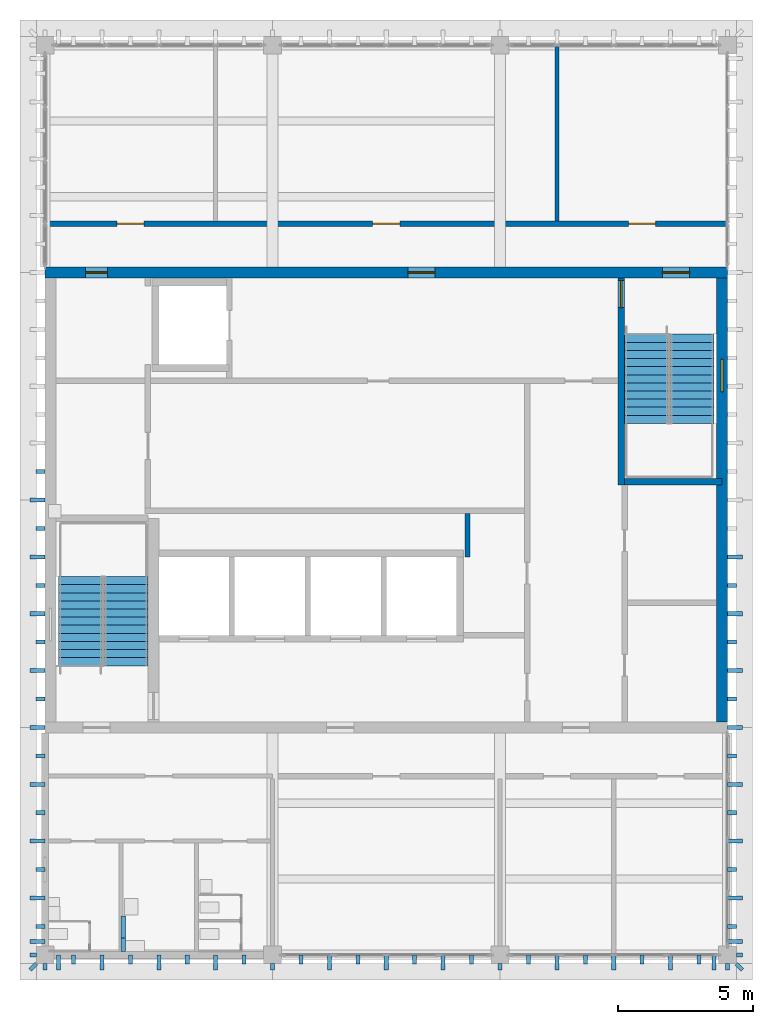
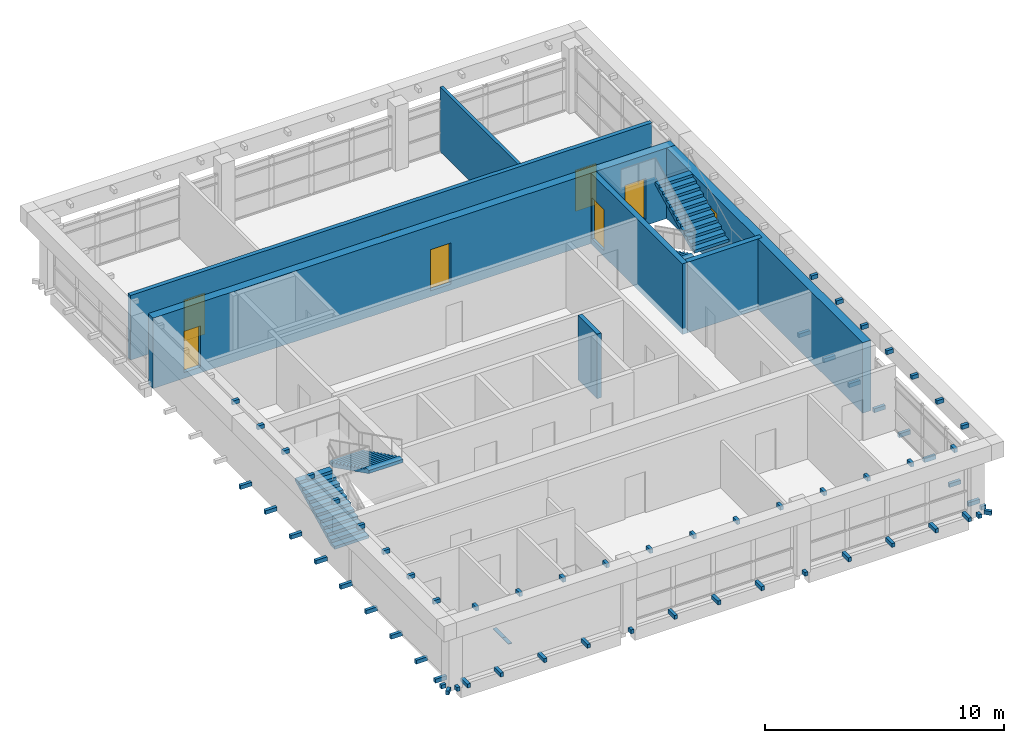
# One storey, part 7 of 10: 66 discrete accessories, 7 doors, 7 walls, 4 stair flights, 1 window, 8 openings, 2 elements without a shape of their own.
"""IFC4 building model written with IfcOpenShell, lengths in metres."""

from ifc_helpers import new_model, si_unit, direction, frame, frame_2d, origin, origin_2d, place, context, subcontext, project, spatial, polyline, rectangle, outline, extrude, material, layer, layer_set, type_object, element, fill, aggregate, save


model = new_model("IFC4")

# Units and contexts
model_context = context("Model", 3, precision=1e-05, world=origin(), true_north=direction((0.0, 1.0)))
body_context = subcontext(model_context, "Body", "Model", "MODEL_VIEW")
ifc_project = project(units=[si_unit("LENGTHUNIT", "METRE"), si_unit("AREAUNIT", "SQUARE_METRE"), si_unit("VOLUMEUNIT", "CUBIC_METRE"), si_unit("PLANEANGLEUNIT", "RADIAN"), si_unit("MASSUNIT", "GRAM", prefix="KILO")], contexts=[model_context])

# Site, building, storey
site_placement = place(None, origin())
site = spatial("IfcSite", under=ifc_project, at=site_placement, CompositionType="ELEMENT")
building_placement = place(site_placement, origin())
building = spatial("IfcBuilding", under=site, at=building_placement, Name="Rulbaag Community and Learning Centre", CompositionType="ELEMENT")
storey_placement = place(building_placement, frame((0.0, 0.0, 61.199951171875)))
storey = spatial("IfcBuildingStorey", under=building, at=storey_placement, Name="L16", CompositionType="ELEMENT", Elevation=61.199951171875)

# Wall, openings, doors
ifc_material_1 = material(Name="Concrete blockwork", Category="masonry")
ifc_layer_1 = layer(ifc_material_1, 0.199951171875)
ifc_layer_set_1 = layer_set([ifc_layer_1], Name="FW-200 FIRE WALL 200")
wall_type_1 = type_object("IfcWallType", Name="FW-200 FIRE WALL 200", PredefinedType="SOLIDWALL", material=ifc_layer_set_1)
wall_1_placement = place(storey_placement, frame((142.800048828125, 111.0, 0.0), z_axis=(0.0, 0.0, 1.0), x_axis=(1.0, 0.0, 0.0)))
wall_1 = element("IfcWall", 1, at=wall_1_placement, inside=storey, type_object=wall_type_1, Name="Fire wall L16 10", PredefinedType="SOLIDWALL", context=body_context, shape_type="SweptSolid", body=[
    extrude(rectangle(XDim=25.199951171875, YDim=0.199951171875, at=frame_2d((12.60009765625, 0.0))), origin(), (0.0, 0.0, 1.0), 3.300048828125),
])
opening_1_placement = place(wall_1_placement, frame((2.64990234375, 0.0, 0.0)))
opening_1 = element("IfcOpeningElement", 2, at=opening_1_placement, cuts=wall_1, Name="Opening L16-D005", PredefinedType="OPENING", context=body_context, shape_type="SweptSolid", body=[
    extrude(rectangle(XDim=1.0, YDim=2.10009765625, at=frame_2d((0.5, 1.050048828125))), frame((0.0, 0.10986328125, 0.0), z_axis=(0.0, -1.0, 0.0), x_axis=(1.0, 0.0, 0.0)), (0.0, 0.0, 1.0), 0.219970703125),
])
opening_2_placement = place(wall_1_placement, frame((12.10009765625, 0.0, 0.0)))
opening_2 = element("IfcOpeningElement", 3, at=opening_2_placement, cuts=wall_1, Name="Opening L16-D020", PredefinedType="OPENING", context=body_context, shape_type="SweptSolid", body=[
    extrude(rectangle(XDim=1.0, YDim=2.10009765625, at=frame_2d((0.5, 1.050048828125))), frame((0.0, 0.10986328125, 0.0), z_axis=(0.0, -1.0, 0.0), x_axis=(1.0, 0.0, 0.0)), (0.0, 0.0, 1.0), 0.219970703125),
])
opening_3_placement = place(wall_1_placement, frame((21.550048828125, 0.0, 0.0)))
opening_3 = element("IfcOpeningElement", 4, at=opening_3_placement, cuts=wall_1, Name="Opening L16-D031", PredefinedType="OPENING", context=body_context, shape_type="SweptSolid", body=[
    extrude(rectangle(XDim=1.0, YDim=2.10009765625, at=frame_2d((0.5, 1.050048828125))), frame((0.0, 0.10986328125, 0.0), z_axis=(0.0, -1.0, 0.0), x_axis=(1.0, 0.0, 0.0)), (0.0, 0.0, 1.0), 0.219970703125),
])
ifc_material_2 = material(Name="Galvanised steel", Category="steel")
door_type_1 = type_object("IfcDoorType", Name="FD-1000 FIRE DOOR 1000 x 2100", OperationType="SINGLE_SWING_LEFT", PredefinedType="DOOR", material=ifc_material_2)
door_1_placement = place(opening_1_placement, origin())
door_1 = element("IfcDoor", 5, at=door_1_placement, inside=storey, type_object=door_type_1, Name="Door L16-D005", OperationType="SINGLE_SWING_RIGHT", OverallHeight=2.10009765625, OverallWidth=1.0, PredefinedType="DOOR", context=body_context, shape_type="SweptSolid", body=[
    extrude(rectangle(XDim=1.0, YDim=2.10009765625, at=frame_2d((0.5, 1.050048828125))), frame((0.0, 0.02490234375, 0.0), z_axis=(0.0, -1.0, 0.0), x_axis=(1.0, 0.0, 0.0)), (0.0, 0.0, 1.0), 0.050048828125),
])
fill(opening_1, door_1)
door_2_placement = place(opening_2_placement, origin())
door_2 = element("IfcDoor", 6, at=door_2_placement, inside=storey, type_object=door_type_1, Name="Door L16-D020", OperationType="SINGLE_SWING_RIGHT", OverallHeight=2.10009765625, OverallWidth=1.0, PredefinedType="DOOR", context=body_context, shape_type="SweptSolid", body=[
    extrude(rectangle(XDim=1.0, YDim=2.10009765625, at=frame_2d((0.5, 1.050048828125))), frame((0.0, 0.02490234375, 0.0), z_axis=(0.0, -1.0, 0.0), x_axis=(1.0, 0.0, 0.0)), (0.0, 0.0, 1.0), 0.050048828125),
])
fill(opening_2, door_2)
door_3_placement = place(opening_3_placement, origin())
door_3 = element("IfcDoor", 7, at=door_3_placement, inside=storey, type_object=door_type_1, Name="Door L16-D031", OperationType="SINGLE_SWING_LEFT", OverallHeight=2.10009765625, OverallWidth=1.0, PredefinedType="DOOR", context=body_context, shape_type="SweptSolid", body=[
    extrude(rectangle(XDim=1.0, YDim=2.10009765625, at=frame_2d((0.5, 1.050048828125))), frame((0.0, 0.02490234375, 0.0), z_axis=(0.0, -1.0, 0.0), x_axis=(1.0, 0.0, 0.0)), (0.0, 0.0, 1.0), 0.050048828125),
])
fill(opening_3, door_3)

# Walls
wall_2_placement = place(storey_placement, frame((158.39990234375, 98.699951171875, 0.0), z_axis=(0.0, 0.0, 1.0), x_axis=(0.0, 1.0, 0.0)))
element("IfcWall", 8, at=wall_2_placement, inside=storey, type_object=wall_type_1, Name="Fire wall L16 18", PredefinedType="SOLIDWALL", context=body_context, shape_type="SweptSolid", body=[
    extrude(rectangle(XDim=1.60009765625, YDim=0.199951171875, at=frame_2d((0.800048828125, 0.0))), origin(), (0.0, 0.0, 1.0), 3.300048828125),
])
ifc_layer_2 = layer(ifc_material_1, 0.14990234375)
ifc_layer_set_2 = layer_set([ifc_layer_2], Name="IP-150 PARTITION 150")
wall_type_2 = type_object("IfcWallType", Name="IP-150 PARTITION 150", PredefinedType="PARTITIONING", material=ifc_layer_set_2)
wall_3_placement = place(storey_placement, frame((161.699951171875, 111.10009765625, 0.0), z_axis=(0.0, 0.0, 1.0), x_axis=(0.0, 1.0, 0.0)))
element("IfcWall", 9, at=wall_3_placement, inside=storey, type_object=wall_type_2, Name="Partition L16 21", PredefinedType="PARTITIONING", context=body_context, shape_type="SweptSolid", body=[
    extrude(rectangle(XDim=6.5, YDim=0.14990234375, at=frame_2d((3.25, 0.0))), origin(), (0.0, 0.0, 1.0), 3.300048828125),
])

# Wall, openings, doors
ifc_material_3 = material(Name="Concrete M60", Category="concrete")
ifc_layer_3 = layer(ifc_material_3, 0.39990234375)
ifc_layer_set_3 = layer_set([ifc_layer_3], Name="W2 Core wall 400 Concrete M60")
wall_type_3 = type_object("IfcWallType", Name="W2 Core wall 400 Concrete M60", PredefinedType="SHEAR", material=ifc_layer_set_3)
wall_4_placement = place(storey_placement, frame((142.800048828125, 109.199951171875, -0.300048828125), z_axis=(0.0, 0.0, 1.0), x_axis=(1.0, 0.0, 0.0)))
wall_4 = element("IfcWall", 10, at=wall_4_placement, inside=storey, type_object=wall_type_3, Name="WL-CORE-N-L16", PredefinedType="SHEAR", context=body_context, shape_type="SweptSolid", body=[
    extrude(rectangle(XDim=25.199951171875, YDim=0.39990234375, at=frame_2d((12.60009765625, 0.0))), origin(), (0.0, 0.0, 1.0), 3.60009765625),
])
opening_4_placement = place(wall_4_placement, frame((22.800048828125, 0.0, 0.300048828125)))
opening_4 = element("IfcOpeningElement", 11, at=opening_4_placement, cuts=wall_4, Name="Opening L16-D033", PredefinedType="OPENING", context=body_context, shape_type="SweptSolid", body=[
    extrude(rectangle(XDim=1.0, YDim=2.10009765625, at=frame_2d((0.5, 1.050048828125))), frame((0.0, 0.2099609375, 0.0), z_axis=(0.0, -1.0, 0.0), x_axis=(1.0, 0.0, 0.0)), (0.0, 0.0, 1.0), 0.419921875),
])
opening_5_placement = place(wall_4_placement, frame((1.5, 0.0, 0.300048828125)))
opening_5 = element("IfcOpeningElement", 12, at=opening_5_placement, cuts=wall_4, Name="Opening L16-D004", PredefinedType="OPENING", context=body_context, shape_type="SweptSolid", body=[
    extrude(rectangle(XDim=0.800048828125, YDim=2.10009765625, at=frame_2d((0.39990234375, 1.050048828125))), frame((0.0, 0.2099609375, 0.0), z_axis=(0.0, -1.0, 0.0), x_axis=(1.0, 0.0, 0.0)), (0.0, 0.0, 1.0), 0.419921875),
])
opening_6_placement = place(wall_4_placement, frame((13.39990234375, 0.0, 0.300048828125)))
opening_6 = element("IfcOpeningElement", 13, at=opening_6_placement, cuts=wall_4, Name="Opening L16-D022", PredefinedType="OPENING", context=body_context, shape_type="SweptSolid", body=[
    extrude(rectangle(XDim=1.0, YDim=2.10009765625, at=frame_2d((0.5, 1.050048828125))), frame((0.0, 0.2099609375, 0.0), z_axis=(0.0, -1.0, 0.0), x_axis=(1.0, 0.0, 0.0)), (0.0, 0.0, 1.0), 0.419921875),
])
door_4_placement = place(opening_4_placement, origin())
door_4 = element("IfcDoor", 14, at=door_4_placement, inside=storey, type_object=door_type_1, Name="Door L16-D033", OperationType="SINGLE_SWING_LEFT", OverallHeight=2.10009765625, OverallWidth=1.0, PredefinedType="DOOR", context=body_context, shape_type="SweptSolid", body=[
    extrude(rectangle(XDim=1.0, YDim=2.10009765625, at=frame_2d((0.5, 1.050048828125))), frame((0.0, 0.02490234375, 0.0), z_axis=(0.0, -1.0, 0.0), x_axis=(1.0, 0.0, 0.0)), (0.0, 0.0, 1.0), 0.050048828125),
])
fill(opening_4, door_4)
door_5_placement = place(opening_6_placement, origin())
door_5 = element("IfcDoor", 15, at=door_5_placement, inside=storey, type_object=door_type_1, Name="Door L16-D022", OperationType="SINGLE_SWING_LEFT", OverallHeight=2.10009765625, OverallWidth=1.0, PredefinedType="DOOR", context=body_context, shape_type="SweptSolid", body=[
    extrude(rectangle(XDim=1.0, YDim=2.10009765625, at=frame_2d((0.5, 1.050048828125))), frame((0.0, 0.02490234375, 0.0), z_axis=(0.0, -1.0, 0.0), x_axis=(1.0, 0.0, 0.0)), (0.0, 0.0, 1.0), 0.050048828125),
])
fill(opening_6, door_5)
door_type_2 = type_object("IfcDoorType", Name="FDR-800 RISER FIRE DOOR 800 x 2100", OperationType="SINGLE_SWING_LEFT", PredefinedType="DOOR", material=ifc_material_2)
door_6_placement = place(opening_5_placement, origin())
door_6 = element("IfcDoor", 16, at=door_6_placement, inside=storey, type_object=door_type_2, Name="Riser door L16-D024", OperationType="SINGLE_SWING_LEFT", OverallHeight=2.10009765625, OverallWidth=0.800048828125, PredefinedType="DOOR", context=body_context, shape_type="SweptSolid", body=[
    extrude(rectangle(XDim=0.800048828125, YDim=2.10009765625, at=frame_2d((0.39990234375, 1.050048828125))), frame((0.0, 0.02490234375, 0.0), z_axis=(0.0, -1.0, 0.0), x_axis=(1.0, 0.0, 0.0)), (0.0, 0.0, 1.0), 0.050048828125),
])
fill(opening_5, door_6)

# Wall, opening, window
wall_5_placement = place(storey_placement, frame((167.800048828125, 92.60009765625, -0.300048828125), z_axis=(0.0, 0.0, 1.0), x_axis=(0.0, 1.0, 0.0)))
wall_5 = element("IfcWall", 17, at=wall_5_placement, inside=storey, type_object=wall_type_3, Name="WL-CORE-E-L16", PredefinedType="SHEAR", context=body_context, shape_type="SweptSolid", body=[
    extrude(rectangle(XDim=16.39990234375, YDim=0.39990234375, at=frame_2d((8.199951171875, 0.0))), origin(), (0.0, 0.0, 1.0), 3.60009765625),
])
opening_7_placement = place(wall_5_placement, frame((12.199951171875, 0.0, 1.89990234375)))
opening_7 = element("IfcOpeningElement", 18, at=opening_7_placement, cuts=wall_5, Name="Opening WN19", PredefinedType="OPENING", context=body_context, shape_type="SweptSolid", body=[
    extrude(rectangle(XDim=1.199951171875, YDim=0.89990234375, at=frame_2d((0.60009765625, 0.449951171875))), frame((0.0, 0.2099609375, 0.0), z_axis=(0.0, -1.0, 0.0), x_axis=(1.0, 0.0, 0.0)), (0.0, 0.0, 1.0), 0.419921875),
])
ifc_material_4 = material(Name="Aluminium", Category="aluminium")
window_type = type_object("IfcWindowType", Name="WS-12", PartitioningType="SINGLE_PANEL", PredefinedType="WINDOW", material=ifc_material_4)
window_placement = place(opening_7_placement, origin())
window = element("IfcWindow", 19, at=window_placement, inside=storey, type_object=window_type, Name="Stair window", OverallHeight=0.89990234375, OverallWidth=1.199951171875, PartitioningType="SINGLE_PANEL", PredefinedType="WINDOW", context=body_context, shape_type="SweptSolid", body=[
    extrude(rectangle(XDim=1.199951171875, YDim=0.89990234375, at=frame_2d((0.60009765625, 0.449951171875))), frame((0.0, 0.030029296875, 0.0), z_axis=(0.0, -1.0, 0.0), x_axis=(1.0, 0.0, 0.0)), (0.0, 0.0, 1.0), 0.06005859375),
])
fill(opening_7, window)

# Wall, opening, door
ifc_material_5 = material(Name="Concrete M40", Category="concrete")
ifc_layer_4 = layer(ifc_material_5, 0.25)
ifc_layer_set_4 = layer_set([ifc_layer_4], Name="W5 Shaft wall 250 Concrete M40")
wall_type_4 = type_object("IfcWallType", Name="W5 Shaft wall 250 Concrete M40", PredefinedType="SHEAR", material=ifc_layer_set_4)
wall_6_placement = place(storey_placement, frame((164.074951171875, 101.35009765625, -0.300048828125), z_axis=(0.0, 0.0, 1.0), x_axis=(0.0, 1.0, 0.0)))
wall_6 = element("IfcWall", 20, at=wall_6_placement, inside=storey, type_object=wall_type_4, Name="WL-ST2-W-L16", PredefinedType="SHEAR", context=body_context, shape_type="SweptSolid", body=[
    extrude(rectangle(XDim=7.64990234375, YDim=0.25, at=frame_2d((3.824951171875, 0.0))), origin(), (0.0, 0.0, 1.0), 3.60009765625),
])
opening_8_placement = place(wall_6_placement, frame((6.550048828125, 0.0, 0.300048828125)))
opening_8 = element("IfcOpeningElement", 21, at=opening_8_placement, cuts=wall_6, Name="Opening L16-D028", PredefinedType="OPENING", context=body_context, shape_type="SweptSolid", body=[
    extrude(rectangle(XDim=1.0, YDim=2.10009765625, at=frame_2d((0.5, 1.050048828125))), frame((0.0, 0.135009765625, 0.0), z_axis=(0.0, -1.0, 0.0), x_axis=(1.0, 0.0, 0.0)), (0.0, 0.0, 1.0), 0.27001953125),
])
door_7_placement = place(opening_8_placement, origin())
door_7 = element("IfcDoor", 22, at=door_7_placement, inside=storey, type_object=door_type_1, Name="Door L16-D028", OperationType="SINGLE_SWING_LEFT", OverallHeight=2.10009765625, OverallWidth=1.0, PredefinedType="DOOR", context=body_context, shape_type="SweptSolid", body=[
    extrude(rectangle(XDim=1.0, YDim=2.10009765625, at=frame_2d((0.5, 1.050048828125))), frame((0.0, 0.02490234375, 0.0), z_axis=(0.0, -1.0, 0.0), x_axis=(1.0, 0.0, 0.0)), (0.0, 0.0, 1.0), 0.050048828125),
])
fill(opening_8, door_7)

# Wall
wall_7_placement = place(storey_placement, frame((164.199951171875, 101.47509765625, -0.300048828125), z_axis=(0.0, 0.0, 1.0), x_axis=(1.0, 0.0, 0.0)))
element("IfcWall", 23, at=wall_7_placement, inside=storey, type_object=wall_type_4, Name="WL-ST2-S-L16", PredefinedType="SHEAR", context=body_context, shape_type="SweptSolid", body=[
    extrude(rectangle(XDim=3.60009765625, YDim=0.25, at=frame_2d((1.800048828125, 0.0))), origin(), (0.0, 0.0, 1.0), 3.60009765625),
])

# Stair, stair flights
stair_type = type_object("IfcStairType", Name="ST-1650 STAIR 1650 WIDE", PredefinedType="HALF_TURN_STAIR", material=ifc_material_5)
stair_1_placement = place(storey_placement, origin())
stair_1 = element("IfcStair", 24, at=stair_1_placement, inside=storey, type_object=stair_type, Name="Stair ST1 L16", PredefinedType="HALF_TURN_STAIR")
stair_flight_type = type_object("IfcStairFlightType", Name="FL-1650 FLIGHT 1650 WIDE Concrete M40", PredefinedType="STRAIGHT", material=ifc_material_5)
stair_flight_1_placement = place(storey_placement, frame((144.125, 94.675048828125, 0.0), z_axis=(0.0, 0.0, 1.0), x_axis=(0.0, 1.0, 0.0)))
stair_flight_1 = element("IfcStairFlight", 25, at=stair_flight_1_placement, type_object=stair_flight_type, Name="ST1 flight 1", NumberOfRisers=12, NumberOfTreads=11, PredefinedType="STRAIGHT", RiserHeight=0.15, TreadLength=0.3, context=body_context, shape_type="SweptSolid", body=[
    extrude(outline(polyline([(0.0, 0.0), (0.0, 0.14990234375), (0.300048828125, 0.14990234375), (0.300048828125, 0.300048828125), (0.60009765625, 0.300048828125), (0.60009765625, 0.449951171875), (0.89990234375, 0.449951171875), (0.89990234375, 0.60009765625), (1.199951171875, 0.60009765625), (1.199951171875, 0.75), (1.5, 0.75), (1.5, 0.89990234375), (1.800048828125, 0.89990234375), (1.800048828125, 1.050048828125), (2.10009765625, 1.050048828125), (2.10009765625, 1.199951171875), (2.39990234375, 1.199951171875), (2.39990234375, 1.35009765625), (2.699951171875, 1.35009765625), (2.699951171875, 1.5), (3.0, 1.5), (3.0, 1.64990234375), (3.300048828125, 1.64990234375), (3.300048828125, 1.49365234375), (0.312744140625, 0.0), (0.0, 0.0)])), frame((0.0, 0.824951171875, 0.0), z_axis=(0.0, -1.0, 0.0), x_axis=(1.0, 0.0, 0.0)), (0.0, 0.0, 1.0), 1.64990234375),
])
stair_flight_2_placement = place(storey_placement, frame((145.77490234375, 97.97509765625, 1.800048828125), z_axis=(0.0, 0.0, 1.0), x_axis=(0.0, -1.0, 0.0)))
stair_flight_2 = element("IfcStairFlight", 26, at=stair_flight_2_placement, type_object=stair_flight_type, Name="ST1 flight 2", NumberOfRisers=12, NumberOfTreads=11, PredefinedType="STRAIGHT", RiserHeight=0.15, TreadLength=0.3, context=body_context, shape_type="SweptSolid", body=[
    extrude(outline(polyline([(0.0, 0.0), (0.0, 0.14990234375), (0.300048828125, 0.14990234375), (0.300048828125, 0.300048828125), (0.60009765625, 0.300048828125), (0.60009765625, 0.449951171875), (0.89990234375, 0.449951171875), (0.89990234375, 0.60009765625), (1.199951171875, 0.60009765625), (1.199951171875, 0.75), (1.5, 0.75), (1.5, 0.89990234375), (1.800048828125, 0.89990234375), (1.800048828125, 1.050048828125), (2.10009765625, 1.050048828125), (2.10009765625, 1.199951171875), (2.39990234375, 1.199951171875), (2.39990234375, 1.35009765625), (2.699951171875, 1.35009765625), (2.699951171875, 1.5), (3.0, 1.5), (3.0, 1.64990234375), (3.300048828125, 1.64990234375), (3.300048828125, 1.49365234375), (0.312744140625, 0.0), (0.0, 0.0)])), frame((0.0, 0.824951171875, 0.0), z_axis=(0.0, -1.0, 0.0), x_axis=(1.0, 0.0, 0.0)), (0.0, 0.0, 1.0), 1.64990234375),
])
aggregate(stair_1, [stair_flight_1, stair_flight_2])

stair_2_placement = place(storey_placement, origin())
stair_2 = element("IfcStair", 27, at=stair_2_placement, inside=storey, type_object=stair_type, Name="Stair ST2 L16", PredefinedType="HALF_TURN_STAIR")
stair_flight_3_placement = place(storey_placement, frame((165.02490234375, 106.925048828125, 0.0), z_axis=(0.0, 0.0, 1.0), x_axis=(0.0, -1.0, 0.0)))
stair_flight_3 = element("IfcStairFlight", 28, at=stair_flight_3_placement, type_object=stair_flight_type, Name="ST2 flight 1", NumberOfRisers=12, NumberOfTreads=11, PredefinedType="STRAIGHT", RiserHeight=0.15, TreadLength=0.3, context=body_context, shape_type="SweptSolid", body=[
    extrude(outline(polyline([(0.0, 0.0), (0.0, 0.14990234375), (0.300048828125, 0.14990234375), (0.300048828125, 0.300048828125), (0.60009765625, 0.300048828125), (0.60009765625, 0.449951171875), (0.89990234375, 0.449951171875), (0.89990234375, 0.60009765625), (1.199951171875, 0.60009765625), (1.199951171875, 0.75), (1.5, 0.75), (1.5, 0.89990234375), (1.800048828125, 0.89990234375), (1.800048828125, 1.050048828125), (2.10009765625, 1.050048828125), (2.10009765625, 1.199951171875), (2.39990234375, 1.199951171875), (2.39990234375, 1.35009765625), (2.699951171875, 1.35009765625), (2.699951171875, 1.5), (3.0, 1.5), (3.0, 1.64990234375), (3.300048828125, 1.64990234375), (3.300048828125, 1.49365234375), (0.312744140625, 0.0), (0.0, 0.0)])), frame((0.0, 0.824951171875, 0.0), z_axis=(0.0, -1.0, 0.0), x_axis=(1.0, 0.0, 0.0)), (0.0, 0.0, 1.0), 1.64990234375),
])
stair_flight_4_placement = place(storey_placement, frame((166.675048828125, 103.625, 1.800048828125), z_axis=(0.0, 0.0, 1.0), x_axis=(0.0, 1.0, 0.0)))
stair_flight_4 = element("IfcStairFlight", 29, at=stair_flight_4_placement, type_object=stair_flight_type, Name="ST2 flight 2", NumberOfRisers=12, NumberOfTreads=11, PredefinedType="STRAIGHT", RiserHeight=0.15, TreadLength=0.3, context=body_context, shape_type="SweptSolid", body=[
    extrude(outline(polyline([(0.0, 0.0), (0.0, 0.14990234375), (0.300048828125, 0.14990234375), (0.300048828125, 0.300048828125), (0.60009765625, 0.300048828125), (0.60009765625, 0.449951171875), (0.89990234375, 0.449951171875), (0.89990234375, 0.60009765625), (1.199951171875, 0.60009765625), (1.199951171875, 0.75), (1.5, 0.75), (1.5, 0.89990234375), (1.800048828125, 0.89990234375), (1.800048828125, 1.050048828125), (2.10009765625, 1.050048828125), (2.10009765625, 1.199951171875), (2.39990234375, 1.199951171875), (2.39990234375, 1.35009765625), (2.699951171875, 1.35009765625), (2.699951171875, 1.5), (3.0, 1.5), (3.0, 1.64990234375), (3.300048828125, 1.64990234375), (3.300048828125, 1.49365234375), (0.312744140625, 0.0), (0.0, 0.0)])), frame((0.0, 0.824951171875, 0.0), z_axis=(0.0, -1.0, 0.0), x_axis=(1.0, 0.0, 0.0)), (0.0, 0.0, 1.0), 1.64990234375),
])
aggregate(stair_2, [stair_flight_3, stair_flight_4])

# Discrete accessories
ifc_material_6 = material(Name="Steel E350", Category="steel")
discrete_accessory_type_1 = type_object("IfcDiscreteAccessoryType", Name="BR-DB", PredefinedType="BRACKET", material=ifc_material_6)
for number, where, z_axis, x_axis, name in (
    (30, (143.85009765625, 83.83740234375, 3.35009765625), (0.0, 0.0, 1.0), (1.0, 0.0, 0.0), "Crown cap band bracket"),
    (31, (145.949951171875, 83.83740234375, 3.35009765625), (0.0, 0.0, 1.0), (1.0, 0.0, 0.0), "Crown cap band bracket"),
    (32, (148.050048828125, 83.83740234375, 3.35009765625), (0.0, 0.0, 1.0), (1.0, 0.0, 0.0), "Crown cap band bracket"),
    (33, (150.14990234375, 83.83740234375, 3.35009765625), (0.0, 0.0, 1.0), (1.0, 0.0, 0.0), "Crown cap band bracket"),
    (34, (152.25, 83.83740234375, 3.35009765625), (0.0, 0.0, 1.0), (1.0, 0.0, 0.0), "Crown cap band bracket"),
    (35, (154.35009765625, 83.83740234375, 3.35009765625), (0.0, 0.0, 1.0), (1.0, 0.0, 0.0), "Crown cap band bracket"),
    (36, (156.449951171875, 83.83740234375, 3.35009765625), (0.0, 0.0, 1.0), (1.0, 0.0, 0.0), "Crown cap band bracket"),
    (37, (158.550048828125, 83.83740234375, 3.35009765625), (0.0, 0.0, 1.0), (1.0, 0.0, 0.0), "Crown cap band bracket"),
    (38, (160.64990234375, 83.83740234375, 3.35009765625), (0.0, 0.0, 1.0), (1.0, 0.0, 0.0), "Crown cap band bracket"),
    (39, (162.75, 83.83740234375, 3.35009765625), (0.0, 0.0, 1.0), (1.0, 0.0, 0.0), "Crown cap band bracket"),
    (40, (164.85009765625, 83.83740234375, 3.35009765625), (0.0, 0.0, 1.0), (1.0, 0.0, 0.0), "Crown cap band bracket"),
    (41, (166.949951171875, 83.83740234375, 3.35009765625), (0.0, 0.0, 1.0), (1.0, 0.0, 0.0), "Crown cap band bracket"),
):
    element("IfcDiscreteAccessory", number, at=place(storey_placement, frame(where, z_axis=z_axis, x_axis=x_axis)), inside=storey, type_object=discrete_accessory_type_1, Name=name, PredefinedType="BRACKET", context=body_context, shape_type="SweptSolid", body=[
        extrude(rectangle(XDim=0.14990234375, YDim=0.324951171875, at=origin_2d()), origin(), (0.0, 0.0, 1.0), 0.199951171875),
    ])
for number, where, z_axis, x_axis, name in (
    (42, (142.637451171875, 85.050048828125, 3.35009765625), (0.0, 0.0, 1.0), (1.0, 0.0, 0.0), "Crown cap band bracket"),
    (43, (142.637451171875, 87.14990234375, 3.35009765625), (0.0, 0.0, 1.0), (1.0, 0.0, 0.0), "Crown cap band bracket"),
    (44, (142.637451171875, 89.25, 3.35009765625), (0.0, 0.0, 1.0), (1.0, 0.0, 0.0), "Crown cap band bracket"),
    (45, (142.637451171875, 91.35009765625, 3.35009765625), (0.0, 0.0, 1.0), (1.0, 0.0, 0.0), "Crown cap band bracket"),
    (46, (142.637451171875, 93.449951171875, 3.35009765625), (0.0, 0.0, 1.0), (1.0, 0.0, 0.0), "Crown cap band bracket"),
    (47, (142.637451171875, 95.550048828125, 3.35009765625), (0.0, 0.0, 1.0), (1.0, 0.0, 0.0), "Crown cap band bracket"),
    (48, (142.637451171875, 97.64990234375, 3.35009765625), (0.0, 0.0, 1.0), (1.0, 0.0, 0.0), "Crown cap band bracket"),
    (49, (142.637451171875, 99.75, 3.35009765625), (0.0, 0.0, 1.0), (1.0, 0.0, 0.0), "Crown cap band bracket"),
    (50, (142.637451171875, 101.85009765625, 3.35009765625), (0.0, 0.0, 1.0), (1.0, 0.0, 0.0), "Crown cap band bracket"),
    (51, (168.16259765625, 85.050048828125, 3.35009765625), (0.0, 0.0, 1.0), (1.0, 0.0, 0.0), "Crown cap band bracket"),
    (52, (168.16259765625, 87.14990234375, 3.35009765625), (0.0, 0.0, 1.0), (1.0, 0.0, 0.0), "Crown cap band bracket"),
    (53, (168.16259765625, 89.25, 3.35009765625), (0.0, 0.0, 1.0), (1.0, 0.0, 0.0), "Crown cap band bracket"),
    (54, (168.16259765625, 91.35009765625, 3.35009765625), (0.0, 0.0, 1.0), (1.0, 0.0, 0.0), "Crown cap band bracket"),
    (55, (168.16259765625, 93.449951171875, 3.35009765625), (0.0, 0.0, 1.0), (1.0, 0.0, 0.0), "Crown cap band bracket"),
    (56, (168.16259765625, 95.550048828125, 3.35009765625), (0.0, 0.0, 1.0), (1.0, 0.0, 0.0), "Crown cap band bracket"),
    (57, (168.16259765625, 97.64990234375, 3.35009765625), (0.0, 0.0, 1.0), (1.0, 0.0, 0.0), "Crown cap band bracket"),
):
    element("IfcDiscreteAccessory", number, at=place(storey_placement, frame(where, z_axis=z_axis, x_axis=x_axis)), inside=storey, type_object=discrete_accessory_type_1, Name=name, PredefinedType="BRACKET", context=body_context, shape_type="SweptSolid", body=[
        extrude(rectangle(XDim=0.324951171875, YDim=0.14990234375, at=origin_2d()), origin(), (0.0, 0.0, 1.0), 0.199951171875),
    ])
discrete_accessory_type_2 = type_object("IfcDiscreteAccessoryType", Name="BR-FN", PredefinedType="BRACKET", material=ifc_material_6)
discrete_accessory_1_placement = place(storey_placement, frame((142.800048828125, 83.562744140625, -0.25), z_axis=(0.0, 0.0, 1.0), x_axis=(1.0, 0.0, 0.0)))
element("IfcDiscreteAccessory", 58, at=discrete_accessory_1_placement, inside=storey, type_object=discrete_accessory_type_2, Name="Fin arm", PredefinedType="BRACKET", context=body_context, shape_type="SweptSolid", body=[
    extrude(rectangle(XDim=0.14990234375, YDim=0.224609375, at=origin_2d()), origin(), (0.0, 0.0, 1.0), 0.199951171875),
])
for number, where, z_axis, x_axis, name in (
    (59, (143.300048828125, 83.72509765625, -0.25), (0.0, 0.0, 1.0), (1.0, 0.0, 0.0), "Fin arm"),
    (60, (144.89990234375, 83.72509765625, -0.25), (0.0, 0.0, 1.0), (1.0, 0.0, 0.0), "Fin arm"),
    (61, (147.0, 83.72509765625, -0.25), (0.0, 0.0, 1.0), (1.0, 0.0, 0.0), "Fin arm"),
    (62, (149.10009765625, 83.72509765625, -0.25), (0.0, 0.0, 1.0), (1.0, 0.0, 0.0), "Fin arm"),
):
    element("IfcDiscreteAccessory", number, at=place(storey_placement, frame(where, z_axis=z_axis, x_axis=x_axis)), inside=storey, type_object=discrete_accessory_type_2, Name=name, PredefinedType="BRACKET", context=body_context, shape_type="SweptSolid", body=[
        extrude(rectangle(XDim=0.14990234375, YDim=0.549560546875, at=origin_2d()), origin(), (0.0, 0.0, 1.0), 0.199951171875),
    ])
discrete_accessory_2_placement = place(storey_placement, frame((151.199951171875, 83.562744140625, -0.25), z_axis=(0.0, 0.0, 1.0), x_axis=(1.0, 0.0, 0.0)))
element("IfcDiscreteAccessory", 63, at=discrete_accessory_2_placement, inside=storey, type_object=discrete_accessory_type_2, Name="Fin arm", PredefinedType="BRACKET", context=body_context, shape_type="SweptSolid", body=[
    extrude(rectangle(XDim=0.14990234375, YDim=0.224609375, at=origin_2d()), origin(), (0.0, 0.0, 1.0), 0.199951171875),
])
for number, where, z_axis, x_axis, name in (
    (64, (153.300048828125, 83.72509765625, -0.25), (0.0, 0.0, 1.0), (1.0, 0.0, 0.0), "Fin arm"),
    (65, (155.39990234375, 83.72509765625, -0.25), (0.0, 0.0, 1.0), (1.0, 0.0, 0.0), "Fin arm"),
    (66, (157.5, 83.72509765625, -0.25), (0.0, 0.0, 1.0), (1.0, 0.0, 0.0), "Fin arm"),
):
    element("IfcDiscreteAccessory", number, at=place(storey_placement, frame(where, z_axis=z_axis, x_axis=x_axis)), inside=storey, type_object=discrete_accessory_type_2, Name=name, PredefinedType="BRACKET", context=body_context, shape_type="SweptSolid", body=[
        extrude(rectangle(XDim=0.14990234375, YDim=0.549560546875, at=origin_2d()), origin(), (0.0, 0.0, 1.0), 0.199951171875),
    ])
discrete_accessory_3_placement = place(storey_placement, frame((159.60009765625, 83.562744140625, -0.25), z_axis=(0.0, 0.0, 1.0), x_axis=(1.0, 0.0, 0.0)))
element("IfcDiscreteAccessory", 67, at=discrete_accessory_3_placement, inside=storey, type_object=discrete_accessory_type_2, Name="Fin arm", PredefinedType="BRACKET", context=body_context, shape_type="SweptSolid", body=[
    extrude(rectangle(XDim=0.14990234375, YDim=0.224609375, at=origin_2d()), origin(), (0.0, 0.0, 1.0), 0.199951171875),
])
for number, where, z_axis, x_axis, name in (
    (68, (161.699951171875, 83.72509765625, -0.25), (0.0, 0.0, 1.0), (1.0, 0.0, 0.0), "Fin arm"),
    (69, (163.800048828125, 83.72509765625, -0.25), (0.0, 0.0, 1.0), (1.0, 0.0, 0.0), "Fin arm"),
    (70, (165.89990234375, 83.72509765625, -0.25), (0.0, 0.0, 1.0), (1.0, 0.0, 0.0), "Fin arm"),
    (71, (167.5, 83.72509765625, -0.25), (0.0, 0.0, 1.0), (1.0, 0.0, 0.0), "Fin arm"),
):
    element("IfcDiscreteAccessory", number, at=place(storey_placement, frame(where, z_axis=z_axis, x_axis=x_axis)), inside=storey, type_object=discrete_accessory_type_2, Name=name, PredefinedType="BRACKET", context=body_context, shape_type="SweptSolid", body=[
        extrude(rectangle(XDim=0.14990234375, YDim=0.549560546875, at=origin_2d()), origin(), (0.0, 0.0, 1.0), 0.199951171875),
    ])
discrete_accessory_4_placement = place(storey_placement, frame((168.0, 83.562744140625, -0.25), z_axis=(0.0, 0.0, 1.0), x_axis=(1.0, 0.0, 0.0)))
element("IfcDiscreteAccessory", 72, at=discrete_accessory_4_placement, inside=storey, type_object=discrete_accessory_type_2, Name="Fin arm", PredefinedType="BRACKET", context=body_context, shape_type="SweptSolid", body=[
    extrude(rectangle(XDim=0.14990234375, YDim=0.224609375, at=origin_2d()), origin(), (0.0, 0.0, 1.0), 0.199951171875),
])
discrete_accessory_5_placement = place(storey_placement, frame((142.36279296875, 84.0, -0.25), z_axis=(0.0, 0.0, 1.0), x_axis=(1.0, 0.0, 0.0)))
element("IfcDiscreteAccessory", 73, at=discrete_accessory_5_placement, inside=storey, type_object=discrete_accessory_type_2, Name="Fin arm", PredefinedType="BRACKET", context=body_context, shape_type="SweptSolid", body=[
    extrude(rectangle(XDim=0.224609375, YDim=0.14990234375, at=origin_2d()), origin(), (0.0, 0.0, 1.0), 0.199951171875),
])
for number, where, z_axis, x_axis, name in (
    (74, (142.525146484375, 84.5, -0.25), (0.0, 0.0, 1.0), (1.0, 0.0, 0.0), "Fin arm"),
    (75, (142.525146484375, 86.10009765625, -0.25), (0.0, 0.0, 1.0), (1.0, 0.0, 0.0), "Fin arm"),
    (76, (142.525146484375, 88.199951171875, -0.25), (0.0, 0.0, 1.0), (1.0, 0.0, 0.0), "Fin arm"),
    (77, (142.525146484375, 90.300048828125, -0.25), (0.0, 0.0, 1.0), (1.0, 0.0, 0.0), "Fin arm"),
    (78, (142.525146484375, 92.39990234375, -0.25), (0.0, 0.0, 1.0), (1.0, 0.0, 0.0), "Fin arm"),
    (79, (142.525146484375, 94.5, -0.25), (0.0, 0.0, 1.0), (1.0, 0.0, 0.0), "Fin arm"),
    (80, (142.525146484375, 96.60009765625, -0.25), (0.0, 0.0, 1.0), (1.0, 0.0, 0.0), "Fin arm"),
    (81, (142.525146484375, 98.699951171875, -0.25), (0.0, 0.0, 1.0), (1.0, 0.0, 0.0), "Fin arm"),
    (82, (142.525146484375, 100.800048828125, -0.25), (0.0, 0.0, 1.0), (1.0, 0.0, 0.0), "Fin arm"),
):
    element("IfcDiscreteAccessory", number, at=place(storey_placement, frame(where, z_axis=z_axis, x_axis=x_axis)), inside=storey, type_object=discrete_accessory_type_2, Name=name, PredefinedType="BRACKET", context=body_context, shape_type="SweptSolid", body=[
        extrude(rectangle(XDim=0.549560546875, YDim=0.14990234375, at=origin_2d()), origin(), (0.0, 0.0, 1.0), 0.199951171875),
    ])
discrete_accessory_6_placement = place(storey_placement, frame((168.437255859375, 84.0, -0.25), z_axis=(0.0, 0.0, 1.0), x_axis=(1.0, 0.0, 0.0)))
element("IfcDiscreteAccessory", 83, at=discrete_accessory_6_placement, inside=storey, type_object=discrete_accessory_type_2, Name="Fin arm", PredefinedType="BRACKET", context=body_context, shape_type="SweptSolid", body=[
    extrude(rectangle(XDim=0.224609375, YDim=0.14990234375, at=origin_2d()), origin(), (0.0, 0.0, 1.0), 0.199951171875),
])
for number, where, z_axis, x_axis, name in (
    (84, (168.27490234375, 84.5, -0.25), (0.0, 0.0, 1.0), (1.0, 0.0, 0.0), "Fin arm"),
    (85, (168.27490234375, 86.10009765625, -0.25), (0.0, 0.0, 1.0), (1.0, 0.0, 0.0), "Fin arm"),
    (86, (168.27490234375, 88.199951171875, -0.25), (0.0, 0.0, 1.0), (1.0, 0.0, 0.0), "Fin arm"),
    (87, (168.27490234375, 90.300048828125, -0.25), (0.0, 0.0, 1.0), (1.0, 0.0, 0.0), "Fin arm"),
    (88, (168.27490234375, 92.39990234375, -0.25), (0.0, 0.0, 1.0), (1.0, 0.0, 0.0), "Fin arm"),
    (89, (168.27490234375, 94.5, -0.25), (0.0, 0.0, 1.0), (1.0, 0.0, 0.0), "Fin arm"),
    (90, (168.27490234375, 96.60009765625, -0.25), (0.0, 0.0, 1.0), (1.0, 0.0, 0.0), "Fin arm"),
    (91, (168.27490234375, 98.699951171875, -0.25), (0.0, 0.0, 1.0), (1.0, 0.0, 0.0), "Fin arm"),
):
    element("IfcDiscreteAccessory", number, at=place(storey_placement, frame(where, z_axis=z_axis, x_axis=x_axis)), inside=storey, type_object=discrete_accessory_type_2, Name=name, PredefinedType="BRACKET", context=body_context, shape_type="SweptSolid", body=[
        extrude(rectangle(XDim=0.549560546875, YDim=0.14990234375, at=origin_2d()), origin(), (0.0, 0.0, 1.0), 0.199951171875),
    ])
for number, where, z_axis, x_axis, name in (
    (92, (142.36279296875, 83.562744140625, -0.25), (0.0, 0.0, 1.0), (0.707106781187, 0.707106781187, 0.0), "Fin arm"),
    (93, (168.437255859375, 83.562744140625, -0.25), (0.0, 0.0, 1.0), (-0.707106781187, 0.707106781187, 0.0), "Fin arm"),
):
    element("IfcDiscreteAccessory", number, at=place(storey_placement, frame(where, z_axis=z_axis, x_axis=x_axis)), inside=storey, type_object=discrete_accessory_type_2, Name=name, PredefinedType="BRACKET", context=body_context, shape_type="SweptSolid", body=[
        extrude(rectangle(XDim=0.317626953125, YDim=0.14990234375, at=origin_2d()), origin(), (0.0, 0.0, 1.0), 0.199951171875),
    ])
ifc_material_7 = material(Name="Stainless steel grade 316", Category="steel")
discrete_accessory_type_3 = type_object("IfcDiscreteAccessoryType", Name="GR-800", PredefinedType="USERDEFINED", material=ifc_material_7)
for number, where, z_axis, x_axis, name in (
    (94, (145.68505859375, 84.530029296875, 0.72998046875), (0.0, 0.0, 1.0), (1.0, 0.0, 0.0), "Grab rail"),
    (95, (145.68505859375, 85.030029296875, 0.72998046875), (0.0, 0.0, 1.0), (1.0, 0.0, 0.0), "Grab rail"),
):
    element("IfcDiscreteAccessory", number, at=place(storey_placement, frame(where, z_axis=z_axis, x_axis=x_axis)), inside=storey, type_object=discrete_accessory_type_3, Name=name, ObjectType="GRAB RAIL", PredefinedType="USERDEFINED", context=body_context, shape_type="SweptSolid", body=[
        extrude(rectangle(XDim=0.169921875, YDim=0.800048828125, at=origin_2d()), origin(), (0.0, 0.0, 1.0), 0.0400390625),
    ])

save(model, "model.ifc")
